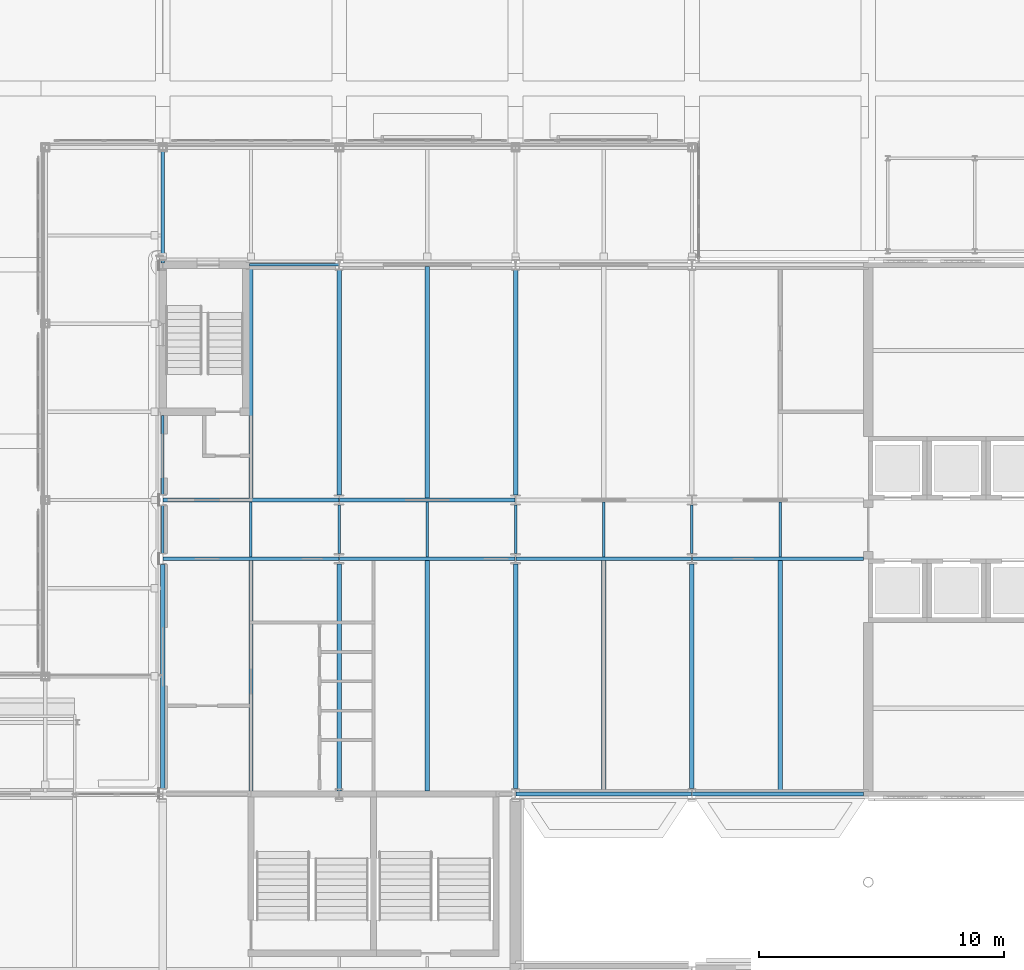
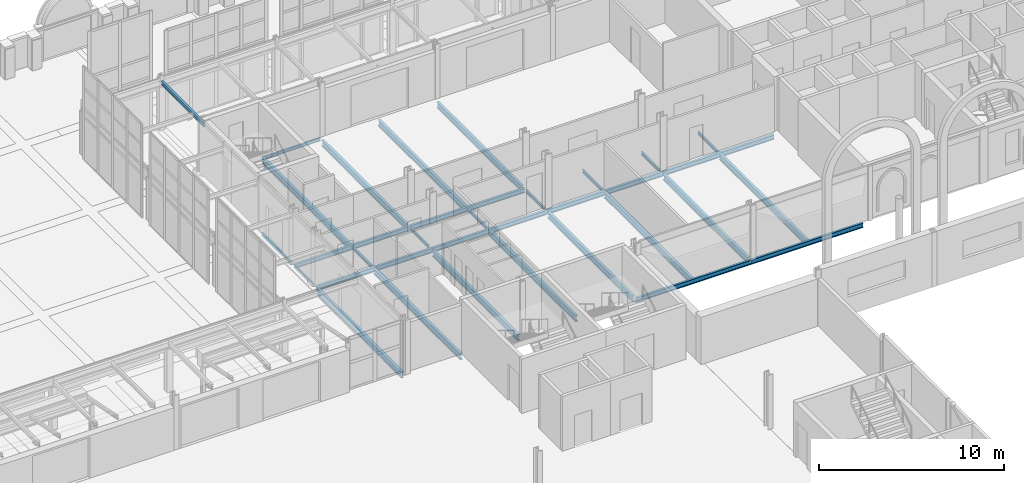
# One storey, part 51 of 143: 31 beams.
"""IFC4 building model written with IfcOpenShell, lengths in metres."""

from ifc_helpers import new_model, si_unit, direction, frame, origin, origin_2d, place, context, subcontext, project, spatial, i_section, extrude, material, material_profile, profile_set, type_object, element, save


model = new_model("IFC4")

# Units and contexts
model_context = context("Model", 3, precision=1e-05, world=origin(), true_north=direction((0.0, 1.0)))
body_context = subcontext(model_context, "Body", "Model", "MODEL_VIEW")
ifc_project = project(units=[si_unit("LENGTHUNIT", "METRE"), si_unit("AREAUNIT", "SQUARE_METRE"), si_unit("VOLUMEUNIT", "CUBIC_METRE"), si_unit("PLANEANGLEUNIT", "RADIAN"), si_unit("MASSUNIT", "GRAM", prefix="KILO")], contexts=[model_context])

# Site, building, storey
site_placement = place(None, origin())
site = spatial("IfcSite", under=ifc_project, at=site_placement, CompositionType="ELEMENT")
building_placement = place(site_placement, origin())
building = spatial("IfcBuilding", under=site, at=building_placement, Name="Kupolbacken Congress Centre", CompositionType="ELEMENT")
storey_placement = place(building_placement, frame((0.0, 0.0, 7.199951171875)))
storey = spatial("IfcBuildingStorey", under=building, at=storey_placement, Name="L02", CompositionType="ELEMENT", Elevation=7.199951171875)

# Beams
ifc_material_1 = material(Name="Steel S355", Category="steel")
ifc_material_profile_1 = material_profile(ifc_material_1, i_section(OverallWidth=0.10009765625, OverallDepth=0.199951171875, WebThickness=0.005615234375, FlangeThickness=0.008544921875, FilletRadius=0.011962890625, at=origin_2d()), Name="IPE 200")
ifc_profile_set_1 = profile_set([ifc_material_profile_1], Name="Steel S355")
beam_type_1 = type_object("IfcBeamType", Name="B01 beam IPE 200", PredefinedType="BEAM", material=ifc_profile_set_1)
beam_1_placement = place(storey_placement, frame((68.35009765625, 144.0, -0.280029296875), z_axis=(1.0, 0.0, 0.0), x_axis=(0.0, 1.0, 0.0)))
element("IfcBeam", 1, at=beam_1_placement, inside=storey, type_object=beam_type_1, Name="S/floor/T/L02/R023", PredefinedType="BEAM", context=body_context, shape_type="SweptSolid", body=[
    extrude(i_section(OverallWidth=0.10009765625, OverallDepth=0.199951171875, WebThickness=0.005615234375, FlangeThickness=0.008544921875, FilletRadius=0.011962890625, at=origin_2d()), origin(), (0.0, 0.0, 1.0), 3.639404296875),
])
beam_2_placement = place(storey_placement, frame((64.800048828125, 132.22509765625, -0.280029296875), z_axis=(0.0, 1.0, 0.0), x_axis=(-1.0, 0.0, 0.0)))
element("IfcBeam", 2, at=beam_2_placement, inside=storey, type_object=beam_type_1, Name="S/floor/T/L02/S032", PredefinedType="BEAM", context=body_context, shape_type="SweptSolid", body=[
    extrude(i_section(OverallWidth=0.10009765625, OverallDepth=0.199951171875, WebThickness=0.005615234375, FlangeThickness=0.008544921875, FilletRadius=0.011962890625, at=origin_2d()), origin(), (0.0, 0.0, 1.0), 1.949951171875),
])
beam_3_placement = place(storey_placement, frame((64.800048828125, 134.625, -0.280029296875), z_axis=(0.0, 1.0, 0.0), x_axis=(-1.0, 0.0, 0.0)))
element("IfcBeam", 3, at=beam_3_placement, inside=storey, type_object=beam_type_1, Name="S/floor/T/L02/S033", PredefinedType="BEAM", context=body_context, shape_type="SweptSolid", body=[
    extrude(i_section(OverallWidth=0.10009765625, OverallDepth=0.199951171875, WebThickness=0.005615234375, FlangeThickness=0.008544921875, FilletRadius=0.011962890625, at=origin_2d()), origin(), (0.0, 0.0, 1.0), 3.22509765625),
])
beam_4_placement = place(storey_placement, frame((68.39990234375, 132.074951171875, -0.280029296875), z_axis=(0.0, 1.0, 0.0), x_axis=(-1.0, 0.0, 0.0)))
element("IfcBeam", 4, at=beam_4_placement, inside=storey, type_object=beam_type_1, Name="S/floor/T/L02/S035", PredefinedType="BEAM", context=body_context, shape_type="SweptSolid", body=[
    extrude(i_section(OverallWidth=0.10009765625, OverallDepth=0.199951171875, WebThickness=0.005615234375, FlangeThickness=0.008544921875, FilletRadius=0.011962890625, at=origin_2d()), origin(), (0.0, 0.0, 1.0), 2.25),
])
beam_5_placement = place(storey_placement, frame((72.0, 132.21240234375, -0.280029296875), z_axis=(0.0, 1.0, 0.0), x_axis=(-1.0, 0.0, 0.0)))
element("IfcBeam", 5, at=beam_5_placement, inside=storey, type_object=beam_type_1, Name="S/floor/T/L02/S038", PredefinedType="BEAM", context=body_context, shape_type="SweptSolid", body=[
    extrude(i_section(OverallWidth=0.10009765625, OverallDepth=0.199951171875, WebThickness=0.005615234375, FlangeThickness=0.008544921875, FilletRadius=0.011962890625, at=origin_2d()), origin(), (0.0, 0.0, 1.0), 1.97509765625),
])
beam_6_placement = place(storey_placement, frame((75.60009765625, 132.074951171875, -0.280029296875), z_axis=(0.0, 1.0, 0.0), x_axis=(-1.0, 0.0, 0.0)))
element("IfcBeam", 6, at=beam_6_placement, inside=storey, type_object=beam_type_1, Name="S/floor/T/L02/S041", PredefinedType="BEAM", context=body_context, shape_type="SweptSolid", body=[
    extrude(i_section(OverallWidth=0.10009765625, OverallDepth=0.199951171875, WebThickness=0.005615234375, FlangeThickness=0.008544921875, FilletRadius=0.011962890625, at=origin_2d()), origin(), (0.0, 0.0, 1.0), 2.25),
])
beam_7_placement = place(storey_placement, frame((79.199951171875, 132.21240234375, -0.280029296875), z_axis=(0.0, 1.0, 0.0), x_axis=(-1.0, 0.0, 0.0)))
element("IfcBeam", 7, at=beam_7_placement, inside=storey, type_object=beam_type_1, Name="S/floor/T/L02/S044", PredefinedType="BEAM", context=body_context, shape_type="SweptSolid", body=[
    extrude(i_section(OverallWidth=0.10009765625, OverallDepth=0.199951171875, WebThickness=0.005615234375, FlangeThickness=0.008544921875, FilletRadius=0.011962890625, at=origin_2d()), origin(), (0.0, 0.0, 1.0), 1.97509765625),
])
beam_8_placement = place(storey_placement, frame((82.800048828125, 132.074951171875, -0.280029296875), z_axis=(0.0, 1.0, 0.0), x_axis=(-1.0, 0.0, 0.0)))
element("IfcBeam", 8, at=beam_8_placement, inside=storey, type_object=beam_type_1, Name="S/floor/T/L02/S047", PredefinedType="BEAM", context=body_context, shape_type="SweptSolid", body=[
    extrude(i_section(OverallWidth=0.10009765625, OverallDepth=0.199951171875, WebThickness=0.005615234375, FlangeThickness=0.008544921875, FilletRadius=0.011962890625, at=origin_2d()), origin(), (0.0, 0.0, 1.0), 2.25),
])
beam_9_placement = place(storey_placement, frame((86.39990234375, 132.21240234375, -0.280029296875), z_axis=(0.0, 1.0, 0.0), x_axis=(-1.0, 0.0, 0.0)))
element("IfcBeam", 9, at=beam_9_placement, inside=storey, type_object=beam_type_1, Name="S/floor/T/L02/S050", PredefinedType="BEAM", context=body_context, shape_type="SweptSolid", body=[
    extrude(i_section(OverallWidth=0.10009765625, OverallDepth=0.199951171875, WebThickness=0.005615234375, FlangeThickness=0.008544921875, FilletRadius=0.011962890625, at=origin_2d()), origin(), (0.0, 0.0, 1.0), 1.97509765625),
])
beam_10_placement = place(storey_placement, frame((90.0, 132.074951171875, -0.280029296875), z_axis=(0.0, 1.0, 0.0), x_axis=(-1.0, 0.0, 0.0)))
element("IfcBeam", 10, at=beam_10_placement, inside=storey, type_object=beam_type_1, Name="S/floor/T/L02/S053", PredefinedType="BEAM", context=body_context, shape_type="SweptSolid", body=[
    extrude(i_section(OverallWidth=0.10009765625, OverallDepth=0.199951171875, WebThickness=0.005615234375, FlangeThickness=0.008544921875, FilletRadius=0.011962890625, at=origin_2d()), origin(), (0.0, 0.0, 1.0), 2.25),
])
ifc_material_2 = material(Name="Steel S355", Category="steel")
ifc_material_profile_2 = material_profile(ifc_material_2, i_section(OverallWidth=0.135009765625, OverallDepth=0.27001953125, WebThickness=0.006591796875, FlangeThickness=0.01025390625, FilletRadius=0.014892578125, at=origin_2d()), Name="IPE 270")
ifc_profile_set_2 = profile_set([ifc_material_profile_2], Name="Steel S355")
beam_type_2 = type_object("IfcBeamType", Name="B03 beam IPE 270", PredefinedType="BEAM", material=ifc_profile_set_2)
beam_11_placement = place(storey_placement, frame((64.800048828125, 144.080078125, 3.135009765625), z_axis=(0.0, 1.0, 0.0), x_axis=(-1.0, 0.0, 0.0)))
element("IfcBeam", 11, at=beam_11_placement, inside=storey, type_object=beam_type_2, Name="E/T/portico/N/raft64.8", PredefinedType="BEAM", context=body_context, shape_type="SweptSolid", body=[
    extrude(i_section(OverallWidth=0.135009765625, OverallDepth=0.27001953125, WebThickness=0.006591796875, FlangeThickness=0.01025390625, FilletRadius=0.014892578125, at=origin_2d()), origin(), (0.0, 0.0, 1.0), 4.635009765625),
])
ifc_material_3 = material(Name="Steel S355", Category="steel")
ifc_material_profile_3 = material_profile(ifc_material_3, i_section(OverallWidth=0.14990234375, OverallDepth=0.300048828125, WebThickness=0.007080078125, FlangeThickness=0.0107421875, FilletRadius=0.014892578125, at=origin_2d()), Name="IPE 300")
ifc_profile_set_3 = profile_set([ifc_material_profile_3], Name="Steel S355")
beam_type_3 = type_object("IfcBeamType", Name="B04 beam IPE 300", PredefinedType="BEAM", material=ifc_profile_set_3)
beam_12_placement = place(storey_placement, frame((79.21044921875, 122.39990234375, -0.329833984375), z_axis=(1.0, 0.0, 0.0), x_axis=(0.0, 1.0, 0.0)))
element("IfcBeam", 12, at=beam_12_placement, inside=storey, type_object=beam_type_3, Name="S/floor/T/L02/R001", PredefinedType="BEAM", context=body_context, shape_type="SweptSolid", body=[
    extrude(i_section(OverallWidth=0.14990234375, OverallDepth=0.300048828125, WebThickness=0.007080078125, FlangeThickness=0.0107421875, FilletRadius=0.014892578125, at=origin_2d()), origin(), (0.0, 0.0, 1.0), 7.178955078125),
])
beam_13_placement = place(storey_placement, frame((86.410400390625, 122.39990234375, -0.329833984375), z_axis=(1.0, 0.0, 0.0), x_axis=(0.0, 1.0, 0.0)))
element("IfcBeam", 13, at=beam_13_placement, inside=storey, type_object=beam_type_3, Name="S/floor/T/L02/R002", PredefinedType="BEAM", context=body_context, shape_type="SweptSolid", body=[
    extrude(i_section(OverallWidth=0.14990234375, OverallDepth=0.300048828125, WebThickness=0.007080078125, FlangeThickness=0.0107421875, FilletRadius=0.014892578125, at=origin_2d()), origin(), (0.0, 0.0, 1.0), 6.989501953125),
])
beam_14_placement = place(storey_placement, frame((64.806884765625, 132.0, -0.329833984375), z_axis=(1.0, 0.0, 0.0), x_axis=(0.0, 1.0, 0.0)))
element("IfcBeam", 14, at=beam_14_placement, inside=storey, type_object=beam_type_3, Name="S/floor/T/L02/R007", PredefinedType="BEAM", context=body_context, shape_type="SweptSolid", body=[
    extrude(i_section(OverallWidth=0.14990234375, OverallDepth=0.300048828125, WebThickness=0.007080078125, FlangeThickness=0.0107421875, FilletRadius=0.014892578125, at=origin_2d()), origin(), (0.0, 0.0, 1.0), 7.1767578125),
])
for number, where, z_axis, x_axis, name in (
    (15, (72.016357421875, 132.0, -0.329833984375), (1.0, 0.0, 0.0), (0.0, 1.0, 0.0), "S/floor/T/L02/R008"),
    (16, (79.21630859375, 132.0, -0.329833984375), (1.0, 0.0, 0.0), (0.0, 1.0, 0.0), "S/floor/T/L02/R009"),
):
    element("IfcBeam", number, at=place(storey_placement, frame(where, z_axis=z_axis, x_axis=x_axis)), inside=storey, type_object=beam_type_3, Name=name, PredefinedType="BEAM", context=body_context, shape_type="SweptSolid", body=[
        extrude(i_section(OverallWidth=0.14990234375, OverallDepth=0.300048828125, WebThickness=0.007080078125, FlangeThickness=0.0107421875, FilletRadius=0.014892578125, at=origin_2d()), origin(), (0.0, 0.0, 1.0), 7.167236328125),
    ])
beam_15_placement = place(storey_placement, frame((86.41650390625, 132.0, -0.329833984375), z_axis=(1.0, 0.0, 0.0), x_axis=(0.0, 1.0, 0.0)))
element("IfcBeam", 17, at=beam_15_placement, inside=storey, type_object=beam_type_3, Name="S/floor/T/L02/R010", PredefinedType="BEAM", context=body_context, shape_type="SweptSolid", body=[
    extrude(i_section(OverallWidth=0.14990234375, OverallDepth=0.300048828125, WebThickness=0.007080078125, FlangeThickness=0.0107421875, FilletRadius=0.014892578125, at=origin_2d()), origin(), (0.0, 0.0, 1.0), 6.9833984375),
])
beam_16_placement = place(storey_placement, frame((64.806884765625, 134.39990234375, -0.329833984375), z_axis=(1.0, 0.0, 0.0), x_axis=(0.0, 1.0, 0.0)))
element("IfcBeam", 18, at=beam_16_placement, inside=storey, type_object=beam_type_3, Name="S/floor/T/L02/R015", PredefinedType="BEAM", context=body_context, shape_type="SweptSolid", body=[
    extrude(i_section(OverallWidth=0.14990234375, OverallDepth=0.300048828125, WebThickness=0.007080078125, FlangeThickness=0.0107421875, FilletRadius=0.014892578125, at=origin_2d()), origin(), (0.0, 0.0, 1.0), 7.1767578125),
])
beam_17_placement = place(storey_placement, frame((72.016357421875, 134.39990234375, -0.329833984375), z_axis=(1.0, 0.0, 0.0), x_axis=(0.0, 1.0, 0.0)))
element("IfcBeam", 19, at=beam_17_placement, inside=storey, type_object=beam_type_3, Name="S/floor/T/L02/R016", PredefinedType="BEAM", context=body_context, shape_type="SweptSolid", body=[
    extrude(i_section(OverallWidth=0.14990234375, OverallDepth=0.300048828125, WebThickness=0.007080078125, FlangeThickness=0.0107421875, FilletRadius=0.014892578125, at=origin_2d()), origin(), (0.0, 0.0, 1.0), 7.167236328125),
])
ifc_material_4 = material(Name="Steel S355", Category="steel")
ifc_material_profile_4 = material_profile(ifc_material_4, i_section(OverallWidth=0.179931640625, OverallDepth=0.39990234375, WebThickness=0.008544921875, FlangeThickness=0.013427734375, FilletRadius=0.02099609375, at=origin_2d()), Name="IPE 400")
ifc_profile_set_4 = profile_set([ifc_material_profile_4], Name="Steel S355")
beam_type_4 = type_object("IfcBeamType", Name="B07 beam IPE 400", PredefinedType="BEAM", material=ifc_profile_set_4)
beam_18_placement = place(storey_placement, frame((64.800048828125, 122.625, -0.3798828125), z_axis=(0.0, 1.0, 0.0), x_axis=(-1.0, 0.0, 0.0)))
element("IfcBeam", 20, at=beam_18_placement, inside=storey, type_object=beam_type_4, Name="S/floor/T/L02/S031", PredefinedType="BEAM", context=body_context, shape_type="SweptSolid", body=[
    extrude(i_section(OverallWidth=0.179931640625, OverallDepth=0.39990234375, WebThickness=0.008544921875, FlangeThickness=0.013427734375, FilletRadius=0.02099609375, at=origin_2d()), origin(), (0.0, 0.0, 1.0), 9.14990234375),
])
beam_19_placement = place(storey_placement, frame((68.39990234375, 122.52490234375, -0.3798828125), z_axis=(0.0, 1.0, 0.0), x_axis=(-1.0, 0.0, 0.0)))
element("IfcBeam", 21, at=beam_19_placement, inside=storey, type_object=beam_type_4, Name="S/floor/T/L02/S034", PredefinedType="BEAM", context=body_context, shape_type="SweptSolid", body=[
    extrude(i_section(OverallWidth=0.179931640625, OverallDepth=0.39990234375, WebThickness=0.008544921875, FlangeThickness=0.013427734375, FilletRadius=0.02099609375, at=origin_2d()), origin(), (0.0, 0.0, 1.0), 9.400146484375),
])
beam_20_placement = place(storey_placement, frame((68.39990234375, 134.47509765625, -0.3798828125), z_axis=(0.0, 1.0, 0.0), x_axis=(-1.0, 0.0, 0.0)))
element("IfcBeam", 22, at=beam_20_placement, inside=storey, type_object=beam_type_4, Name="S/floor/T/L02/S036", PredefinedType="BEAM", context=body_context, shape_type="SweptSolid", body=[
    extrude(i_section(OverallWidth=0.179931640625, OverallDepth=0.39990234375, WebThickness=0.008544921875, FlangeThickness=0.013427734375, FilletRadius=0.02099609375, at=origin_2d()), origin(), (0.0, 0.0, 1.0), 9.474853515625),
])
beam_21_placement = place(storey_placement, frame((72.0, 122.52490234375, -0.3798828125), z_axis=(0.0, 1.0, 0.0), x_axis=(-1.0, 0.0, 0.0)))
element("IfcBeam", 23, at=beam_21_placement, inside=storey, type_object=beam_type_4, Name="S/floor/T/L02/S037", PredefinedType="BEAM", context=body_context, shape_type="SweptSolid", body=[
    extrude(i_section(OverallWidth=0.179931640625, OverallDepth=0.39990234375, WebThickness=0.008544921875, FlangeThickness=0.013427734375, FilletRadius=0.02099609375, at=origin_2d()), origin(), (0.0, 0.0, 1.0), 9.2626953125),
])
beam_22_placement = place(storey_placement, frame((72.0, 134.612548828125, -0.3798828125), z_axis=(0.0, 1.0, 0.0), x_axis=(-1.0, 0.0, 0.0)))
element("IfcBeam", 24, at=beam_22_placement, inside=storey, type_object=beam_type_4, Name="S/floor/T/L02/S039", PredefinedType="BEAM", context=body_context, shape_type="SweptSolid", body=[
    extrude(i_section(OverallWidth=0.179931640625, OverallDepth=0.39990234375, WebThickness=0.008544921875, FlangeThickness=0.013427734375, FilletRadius=0.02099609375, at=origin_2d()), origin(), (0.0, 0.0, 1.0), 9.17138671875),
])
beam_23_placement = place(storey_placement, frame((75.60009765625, 122.52490234375, -0.3798828125), z_axis=(0.0, 1.0, 0.0), x_axis=(-1.0, 0.0, 0.0)))
element("IfcBeam", 25, at=beam_23_placement, inside=storey, type_object=beam_type_4, Name="S/floor/T/L02/S040", PredefinedType="BEAM", context=body_context, shape_type="SweptSolid", body=[
    extrude(i_section(OverallWidth=0.179931640625, OverallDepth=0.39990234375, WebThickness=0.008544921875, FlangeThickness=0.013427734375, FilletRadius=0.02099609375, at=origin_2d()), origin(), (0.0, 0.0, 1.0), 9.400146484375),
])
beam_24_placement = place(storey_placement, frame((75.60009765625, 134.47509765625, -0.3798828125), z_axis=(0.0, 1.0, 0.0), x_axis=(-1.0, 0.0, 0.0)))
element("IfcBeam", 26, at=beam_24_placement, inside=storey, type_object=beam_type_4, Name="S/floor/T/L02/S042", PredefinedType="BEAM", context=body_context, shape_type="SweptSolid", body=[
    extrude(i_section(OverallWidth=0.179931640625, OverallDepth=0.39990234375, WebThickness=0.008544921875, FlangeThickness=0.013427734375, FilletRadius=0.02099609375, at=origin_2d()), origin(), (0.0, 0.0, 1.0), 9.449951171875),
])
beam_25_placement = place(storey_placement, frame((79.199951171875, 122.615966796875, -0.3798828125), z_axis=(0.0, 1.0, 0.0), x_axis=(-1.0, 0.0, 0.0)))
element("IfcBeam", 27, at=beam_25_placement, inside=storey, type_object=beam_type_4, Name="S/floor/T/L02/S043", PredefinedType="BEAM", context=body_context, shape_type="SweptSolid", body=[
    extrude(i_section(OverallWidth=0.179931640625, OverallDepth=0.39990234375, WebThickness=0.008544921875, FlangeThickness=0.013427734375, FilletRadius=0.02099609375, at=origin_2d()), origin(), (0.0, 0.0, 1.0), 9.171630859375),
])
beam_26_placement = place(storey_placement, frame((79.199951171875, 134.612548828125, -0.3798828125), z_axis=(0.0, 1.0, 0.0), x_axis=(-1.0, 0.0, 0.0)))
element("IfcBeam", 28, at=beam_26_placement, inside=storey, type_object=beam_type_4, Name="S/floor/T/L02/S045", PredefinedType="BEAM", context=body_context, shape_type="SweptSolid", body=[
    extrude(i_section(OverallWidth=0.179931640625, OverallDepth=0.39990234375, WebThickness=0.008544921875, FlangeThickness=0.013427734375, FilletRadius=0.02099609375, at=origin_2d()), origin(), (0.0, 0.0, 1.0), 9.17138671875),
])
beam_27_placement = place(storey_placement, frame((82.800048828125, 122.47509765625, -0.3798828125), z_axis=(0.0, 1.0, 0.0), x_axis=(-1.0, 0.0, 0.0)))
element("IfcBeam", 29, at=beam_27_placement, inside=storey, type_object=beam_type_4, Name="S/floor/T/L02/S046", PredefinedType="BEAM", context=body_context, shape_type="SweptSolid", body=[
    extrude(i_section(OverallWidth=0.179931640625, OverallDepth=0.39990234375, WebThickness=0.008544921875, FlangeThickness=0.013427734375, FilletRadius=0.02099609375, at=origin_2d()), origin(), (0.0, 0.0, 1.0), 9.449951171875),
])
beam_28_placement = place(storey_placement, frame((86.39990234375, 122.615966796875, -0.3798828125), z_axis=(0.0, 1.0, 0.0), x_axis=(-1.0, 0.0, 0.0)))
element("IfcBeam", 30, at=beam_28_placement, inside=storey, type_object=beam_type_4, Name="S/floor/T/L02/S049", PredefinedType="BEAM", context=body_context, shape_type="SweptSolid", body=[
    extrude(i_section(OverallWidth=0.179931640625, OverallDepth=0.39990234375, WebThickness=0.008544921875, FlangeThickness=0.013427734375, FilletRadius=0.02099609375, at=origin_2d()), origin(), (0.0, 0.0, 1.0), 9.171630859375),
])
beam_29_placement = place(storey_placement, frame((90.0, 122.47509765625, -0.3798828125), z_axis=(0.0, 1.0, 0.0), x_axis=(-1.0, 0.0, 0.0)))
element("IfcBeam", 31, at=beam_29_placement, inside=storey, type_object=beam_type_4, Name="S/floor/T/L02/S052", PredefinedType="BEAM", context=body_context, shape_type="SweptSolid", body=[
    extrude(i_section(OverallWidth=0.179931640625, OverallDepth=0.39990234375, WebThickness=0.008544921875, FlangeThickness=0.013427734375, FilletRadius=0.02099609375, at=origin_2d()), origin(), (0.0, 0.0, 1.0), 9.449951171875),
])

save(model, "model.ifc")
